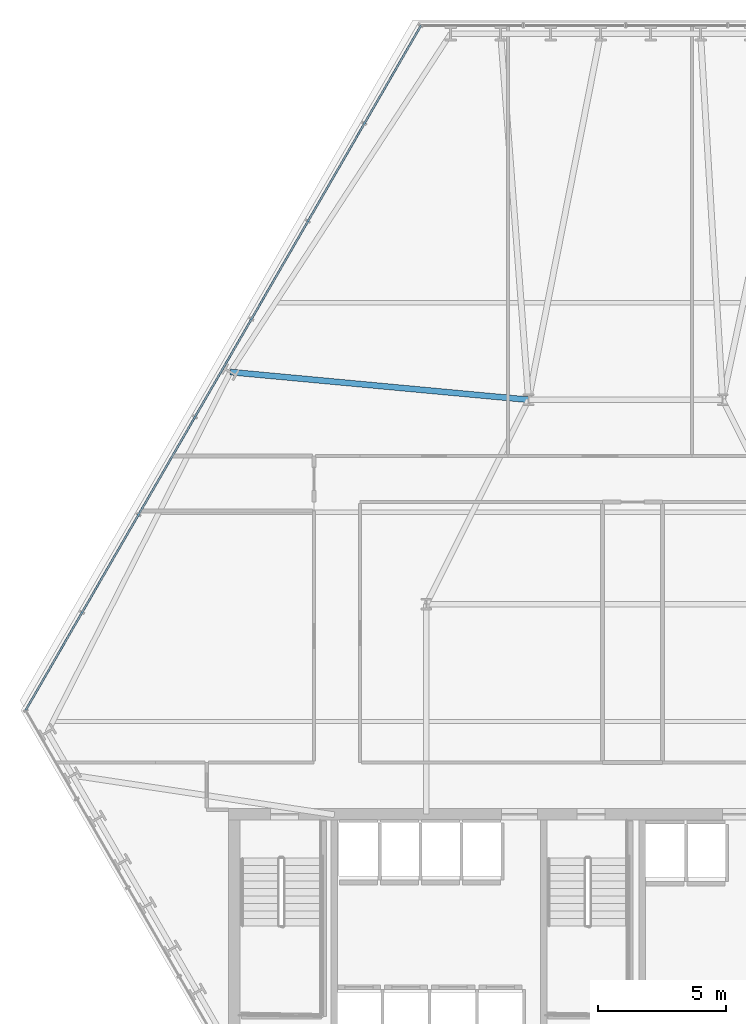
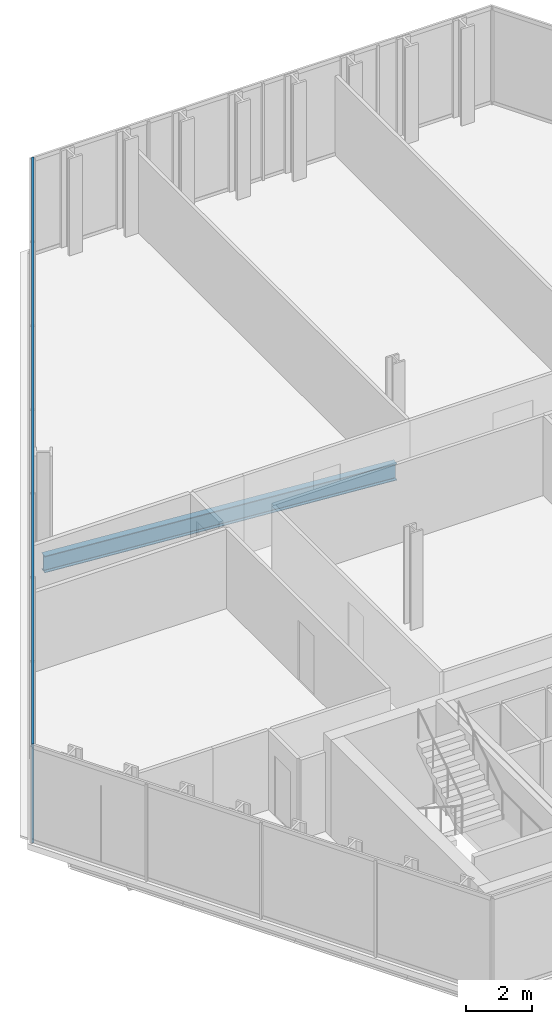
# One storey, part 11 of 32: 2 members, 1 beam, 1 element without a shape of its own.
"""IFC4 building model written with IfcOpenShell, lengths in metres."""

from ifc_helpers import new_model, si_unit, direction, frame, origin, origin_2d, place, context, subcontext, project, spatial, hollow_rectangle, i_section, extrude, material, layer, layer_set, material_profile, profile_set, type_object, element, aggregate, save


model = new_model("IFC4")

# Units and contexts
model_context = context("Model", 3, precision=1e-05, world=origin(), true_north=direction((0.0, 1.0)))
body_context = subcontext(model_context, "Body", "Model", "MODEL_VIEW")
ifc_project = project(units=[si_unit("LENGTHUNIT", "METRE"), si_unit("AREAUNIT", "SQUARE_METRE"), si_unit("VOLUMEUNIT", "CUBIC_METRE"), si_unit("PLANEANGLEUNIT", "RADIAN"), si_unit("MASSUNIT", "GRAM", prefix="KILO")], contexts=[model_context])

# Site, building, storey
site_placement = place(None, origin())
site = spatial("IfcSite", under=ifc_project, at=site_placement, CompositionType="ELEMENT")
building_placement = place(site_placement, origin())
building = spatial("IfcBuilding", under=site, at=building_placement, Name="Ndaravel Arena Tower", CompositionType="ELEMENT")
storey_placement = place(building_placement, frame((0.0, 0.0, 47.39990234375)))
storey = spatial("IfcBuildingStorey", under=building, at=storey_placement, Name="L09", CompositionType="ELEMENT", Elevation=47.39990234375)

# Beam
ifc_material_1 = material(Name="Steel S355", Category="steel")
ifc_material_profile_1 = material_profile(ifc_material_1, i_section(OverallWidth=0.230224609375, OverallDepth=0.6171875, WebThickness=0.01318359375, FlangeThickness=0.022216796875, FilletRadius=0.0126953125, at=origin_2d()), Name="UB 610x229x140")
ifc_profile_set_1 = profile_set([ifc_material_profile_1], Name="Steel S355")
beam_type = type_object("IfcBeamType", Name="BM-GIRD-UB610B", PredefinedType="BEAM", material=ifc_profile_set_1)
beam_placement = place(storey_placement, frame((26.523681640625, 32.285400390625, -0.528564453125), z_axis=(0.995706840407, -0.092562886556, 0.0), x_axis=(0.092562886556, 0.995706840407, 0.0)))
element("IfcBeam", 1, at=beam_placement, inside=storey, type_object=beam_type, Name="L09 Radial Floor Girder FG-19", PredefinedType="BEAM", context=body_context, shape_type="SweptSolid", body=[
    extrude(i_section(OverallWidth=0.230224609375, OverallDepth=0.6171875, WebThickness=0.01318359375, FlangeThickness=0.022216796875, FilletRadius=0.0126953125, at=origin_2d()), origin(), (0.0, 0.0, 1.0), 11.7265625),
])

# Curtain wall, members
ifc_material_2 = material(Name="Aluminium", Category="aluminium")
ifc_layer = layer(ifc_material_2, 0.179931640625)
ifc_layer_set = layer_set([ifc_layer], Name="Aluminium")
curtain_wall_type = type_object("IfcCurtainWallType", Name="CW-SYS-03", PredefinedType="NOTDEFINED", material=ifc_layer_set)
curtain_wall_placement = place(storey_placement, origin())
curtain_wall = element("IfcCurtainWall", 2, at=curtain_wall_placement, inside=storey, type_object=curtain_wall_type, Name="L09 Faceted Crystal Curtain Wall CW-L09-E05", PredefinedType="NOTDEFINED")
ifc_material_3 = material(Name="Aluminium", Category="aluminium")
ifc_material_profile_2 = material_profile(ifc_material_3, hollow_rectangle(XDim=0.074951171875, YDim=0.14990234375, WallThickness=0.00390625, at=origin_2d()), Name="CW TRANSOM 75x150x4")
ifc_profile_set_2 = profile_set([ifc_material_profile_2], Name="Aluminium")
member_type = type_object("IfcMemberType", Name="MEM-CW-TRN150", PredefinedType="USERDEFINED", material=ifc_profile_set_2)
member_1_placement = place(storey_placement, frame((33.98681640625, 45.851318359375, 0.0400390625), z_axis=(-0.500004826597, -0.866022617129, 0.0), x_axis=(0.866022617129, -0.500004826597, 0.0)))
member_1 = element("IfcMember", 3, at=member_1_placement, type_object=member_type, Name="CW-L09-E05 Transom 01", ObjectType="TRANSOM", PredefinedType="USERDEFINED", context=body_context, shape_type="SweptSolid", body=[
    extrude(hollow_rectangle(XDim=0.074951171875, YDim=0.14990234375, WallThickness=0.00390625, at=origin_2d()), origin(), (0.0, 0.0, 1.0), 30.959716796875),
])
member_2_placement = place(storey_placement, frame((33.98681640625, 45.851318359375, 3.5400390625), z_axis=(-0.500004826597, -0.866022617129, 0.0), x_axis=(0.866022617129, -0.500004826597, 0.0)))
member_2 = element("IfcMember", 4, at=member_2_placement, type_object=member_type, Name="CW-L09-E05 Transom 02", ObjectType="TRANSOM", PredefinedType="USERDEFINED", context=body_context, shape_type="SweptSolid", body=[
    extrude(hollow_rectangle(XDim=0.074951171875, YDim=0.14990234375, WallThickness=0.00390625, at=origin_2d()), origin(), (0.0, 0.0, 1.0), 30.959716796875),
])
aggregate(curtain_wall, [member_1, member_2])

save(model, "model.ifc")
